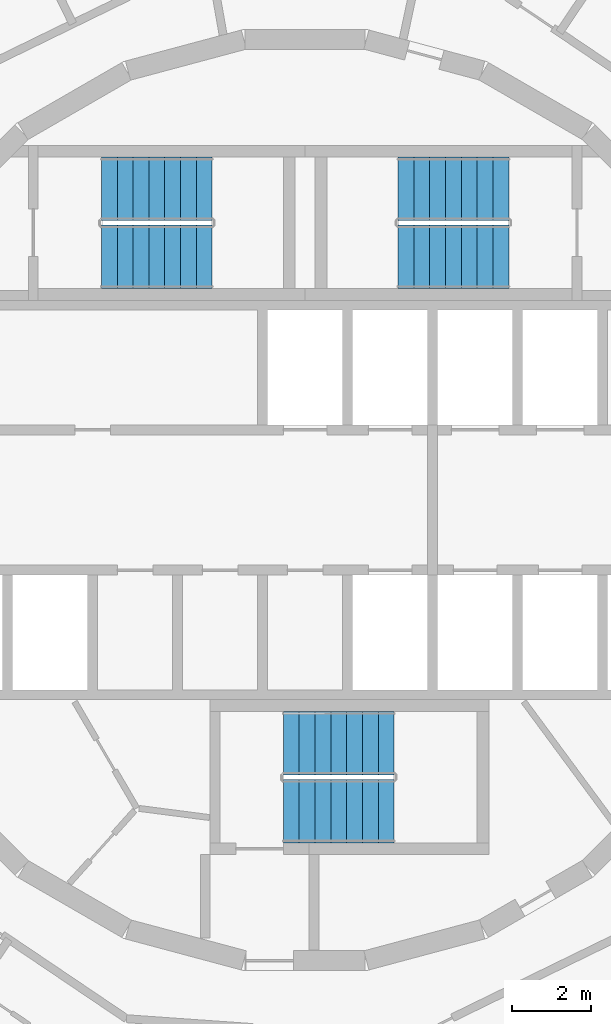
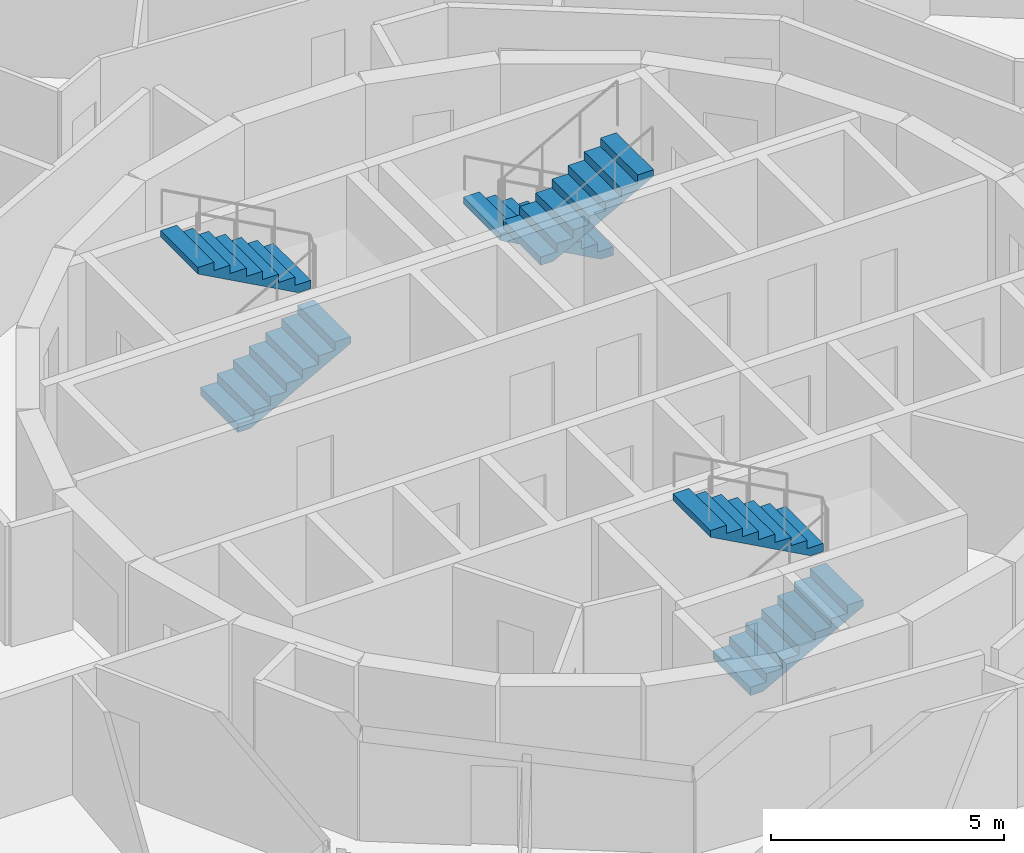
# One storey, part 17 of 18: 6 stair flights, 3 elements without a shape of their own.
"""IFC4 building model written with IfcOpenShell, lengths in metres."""

from ifc_helpers import new_model, si_unit, direction, frame, origin, place, context, subcontext, project, spatial, polyline, outline, extrude, material, type_object, element, aggregate, save


model = new_model("IFC4")

# Units and contexts
model_context = context("Model", 3, precision=1e-05, world=origin(), true_north=direction((0.0, 1.0)))
body_context = subcontext(model_context, "Body", "Model", "MODEL_VIEW")
ifc_project = project(units=[si_unit("LENGTHUNIT", "METRE"), si_unit("AREAUNIT", "SQUARE_METRE"), si_unit("VOLUMEUNIT", "CUBIC_METRE"), si_unit("PLANEANGLEUNIT", "RADIAN"), si_unit("MASSUNIT", "GRAM", prefix="KILO")], contexts=[model_context])

# Site, building, storey
site_placement = place(None, origin())
site = spatial("IfcSite", under=ifc_project, at=site_placement, CompositionType="ELEMENT")
building_placement = place(site_placement, origin())
building = spatial("IfcBuilding", under=site, at=building_placement, Name="Spindle Arch Residences", CompositionType="ELEMENT")
storey_placement = place(building_placement, frame((0.0, 0.0, 205.89990234375)))
storey = spatial("IfcBuildingStorey", under=building, at=storey_placement, Name="L52", CompositionType="ELEMENT", Elevation=205.89990234375)

# Stair, stair flights
ifc_material_1 = material(Name="Concrete C50/60", Category="concrete")
stair_type = type_object("IfcStairType", Name="Exit stair 16 risers", PredefinedType="HALF_TURN_STAIR", material=ifc_material_1)
stair_1_placement = place(storey_placement, origin())
stair_1 = element("IfcStair", 1, at=stair_1_placement, inside=storey, type_object=stair_type, Name="L52 Exit stair ST1", PredefinedType="HALF_TURN_STAIR")
ifc_material_2 = material(Name="Concrete C50/60", Category="concrete")
stair_flight_type = type_object("IfcStairFlightType", Name="Exit stair flight", PredefinedType="STRAIGHT", material=ifc_material_2)
stair_flight_1_placement = place(storey_placement, frame((5.14990234375, 7.8701171875, 0.0), z_axis=(0.0, 0.0, 1.0), x_axis=(-1.0, 0.0, 0.0)))
stair_flight_1 = element("IfcStairFlight", 2, at=stair_flight_1_placement, type_object=stair_flight_type, Name="ST1 flight 1", NumberOfRisers=8, NumberOfTreads=7, PredefinedType="STRAIGHT", RiserHeight=0.21875, TreadLength=0.4, context=body_context, shape_type="SweptSolid", body=[
    extrude(outline(polyline([(0.0, 0.0), (0.0, 0.21875), (0.39990234375, 0.21875), (0.39990234375, 0.4375), (0.800048828125, 0.4375), (0.800048828125, 0.65625), (1.199951171875, 0.65625), (1.199951171875, 0.875), (1.60009765625, 0.875), (1.60009765625, 1.09375), (2.0, 1.09375), (2.0, 1.3125), (2.39990234375, 1.3125), (2.39990234375, 1.53125), (2.800048828125, 1.53125), (2.800048828125, 1.75), (2.800048828125, 1.3603515625), (0.3125, 0.0), (0.0, 0.0)])), frame((0.0, 0.800048828125, 0.0), z_axis=(0.0, -1.0, 0.0), x_axis=(1.0, 0.0, 0.0)), (0.0, 0.0, 1.0), 1.60009765625),
])
stair_flight_2_placement = place(storey_placement, frame((2.35009765625, 6.14990234375, 1.75), z_axis=(0.0, 0.0, 1.0), x_axis=(1.0, 0.0, 0.0)))
stair_flight_2 = element("IfcStairFlight", 3, at=stair_flight_2_placement, type_object=stair_flight_type, Name="ST1 flight 2", NumberOfRisers=8, NumberOfTreads=7, PredefinedType="STRAIGHT", RiserHeight=0.21875, TreadLength=0.4, context=body_context, shape_type="SweptSolid", body=[
    extrude(outline(polyline([(0.0, 0.0), (0.0, 0.21875), (0.39990234375, 0.21875), (0.39990234375, 0.4375), (0.800048828125, 0.4375), (0.800048828125, 0.65625), (1.199951171875, 0.65625), (1.199951171875, 0.875), (1.60009765625, 0.875), (1.60009765625, 1.09375), (2.0, 1.09375), (2.0, 1.3125), (2.39990234375, 1.3125), (2.39990234375, 1.53125), (2.800048828125, 1.53125), (2.800048828125, 1.75), (2.800048828125, 1.3603515625), (0.3125, 0.0), (0.0, 0.0)])), frame((0.0, 0.800048828125, 0.0), z_axis=(0.0, -1.0, 0.0), x_axis=(1.0, 0.0, 0.0)), (0.0, 0.0, 1.0), 1.60009765625),
])
aggregate(stair_1, [stair_flight_1, stair_flight_2])

stair_2_placement = place(storey_placement, origin())
stair_2 = element("IfcStair", 4, at=stair_2_placement, inside=storey, type_object=stair_type, Name="L52 Exit stair ST2", PredefinedType="HALF_TURN_STAIR")
stair_flight_3_placement = place(storey_placement, frame((-5.14990234375, 6.14990234375, 0.0), z_axis=(0.0, 0.0, 1.0), x_axis=(1.0, 0.0, 0.0)))
stair_flight_3 = element("IfcStairFlight", 5, at=stair_flight_3_placement, type_object=stair_flight_type, Name="ST2 flight 1", NumberOfRisers=8, NumberOfTreads=7, PredefinedType="STRAIGHT", RiserHeight=0.21875, TreadLength=0.4, context=body_context, shape_type="SweptSolid", body=[
    extrude(outline(polyline([(0.0, 0.0), (0.0, 0.21875), (0.39990234375, 0.21875), (0.39990234375, 0.4375), (0.800048828125, 0.4375), (0.800048828125, 0.65625), (1.199951171875, 0.65625), (1.199951171875, 0.875), (1.60009765625, 0.875), (1.60009765625, 1.09375), (2.0, 1.09375), (2.0, 1.3125), (2.39990234375, 1.3125), (2.39990234375, 1.53125), (2.800048828125, 1.53125), (2.800048828125, 1.75), (2.800048828125, 1.3603515625), (0.3125, 0.0), (0.0, 0.0)])), frame((0.0, 0.800048828125, 0.0), z_axis=(0.0, -1.0, 0.0), x_axis=(1.0, 0.0, 0.0)), (0.0, 0.0, 1.0), 1.60009765625),
])
stair_flight_4_placement = place(storey_placement, frame((-2.35009765625, 7.8701171875, 1.75), z_axis=(0.0, 0.0, 1.0), x_axis=(-1.0, 0.0, 0.0)))
stair_flight_4 = element("IfcStairFlight", 6, at=stair_flight_4_placement, type_object=stair_flight_type, Name="ST2 flight 2", NumberOfRisers=8, NumberOfTreads=7, PredefinedType="STRAIGHT", RiserHeight=0.21875, TreadLength=0.4, context=body_context, shape_type="SweptSolid", body=[
    extrude(outline(polyline([(0.0, 0.0), (0.0, 0.21875), (0.39990234375, 0.21875), (0.39990234375, 0.4375), (0.800048828125, 0.4375), (0.800048828125, 0.65625), (1.199951171875, 0.65625), (1.199951171875, 0.875), (1.60009765625, 0.875), (1.60009765625, 1.09375), (2.0, 1.09375), (2.0, 1.3125), (2.39990234375, 1.3125), (2.39990234375, 1.53125), (2.800048828125, 1.53125), (2.800048828125, 1.75), (2.800048828125, 1.3603515625), (0.3125, 0.0), (0.0, 0.0)])), frame((0.0, 0.800048828125, 0.0), z_axis=(0.0, -1.0, 0.0), x_axis=(1.0, 0.0, 0.0)), (0.0, 0.0, 1.0), 1.60009765625),
])
aggregate(stair_2, [stair_flight_3, stair_flight_4])

stair_3_placement = place(storey_placement, origin())
stair_3 = element("IfcStair", 7, at=stair_3_placement, inside=storey, type_object=stair_type, Name="L52 Exit stair ST3", PredefinedType="HALF_TURN_STAIR")
stair_flight_5_placement = place(storey_placement, frame((-0.550048828125, -7.8701171875, 0.0), z_axis=(0.0, 0.0, 1.0), x_axis=(1.0, 0.0, 0.0)))
stair_flight_5 = element("IfcStairFlight", 8, at=stair_flight_5_placement, type_object=stair_flight_type, Name="ST3 flight 1", NumberOfRisers=8, NumberOfTreads=7, PredefinedType="STRAIGHT", RiserHeight=0.21875, TreadLength=0.4, context=body_context, shape_type="SweptSolid", body=[
    extrude(outline(polyline([(0.0, 0.0), (0.0, 0.21875), (0.39990234375, 0.21875), (0.39990234375, 0.4375), (0.800048828125, 0.4375), (0.800048828125, 0.65625), (1.199951171875, 0.65625), (1.199951171875, 0.875), (1.60009765625, 0.875), (1.60009765625, 1.09375), (2.0, 1.09375), (2.0, 1.3125), (2.39990234375, 1.3125), (2.39990234375, 1.53125), (2.800048828125, 1.53125), (2.800048828125, 1.75), (2.800048828125, 1.3603515625), (0.3125, 0.0), (0.0, 0.0)])), frame((0.0, 0.800048828125, 0.0), z_axis=(0.0, -1.0, 0.0), x_axis=(1.0, 0.0, 0.0)), (0.0, 0.0, 1.0), 1.60009765625),
])
stair_flight_6_placement = place(storey_placement, frame((2.25, -6.14990234375, 1.75), z_axis=(0.0, 0.0, 1.0), x_axis=(-1.0, 0.0, 0.0)))
stair_flight_6 = element("IfcStairFlight", 9, at=stair_flight_6_placement, type_object=stair_flight_type, Name="ST3 flight 2", NumberOfRisers=8, NumberOfTreads=7, PredefinedType="STRAIGHT", RiserHeight=0.21875, TreadLength=0.4, context=body_context, shape_type="SweptSolid", body=[
    extrude(outline(polyline([(0.0, 0.0), (0.0, 0.21875), (0.39990234375, 0.21875), (0.39990234375, 0.4375), (0.800048828125, 0.4375), (0.800048828125, 0.65625), (1.199951171875, 0.65625), (1.199951171875, 0.875), (1.60009765625, 0.875), (1.60009765625, 1.09375), (2.0, 1.09375), (2.0, 1.3125), (2.39990234375, 1.3125), (2.39990234375, 1.53125), (2.800048828125, 1.53125), (2.800048828125, 1.75), (2.800048828125, 1.3603515625), (0.3125, 0.0), (0.0, 0.0)])), frame((0.0, 0.800048828125, 0.0), z_axis=(0.0, -1.0, 0.0), x_axis=(1.0, 0.0, 0.0)), (0.0, 0.0, 1.0), 1.60009765625),
])
aggregate(stair_3, [stair_flight_5, stair_flight_6])

save(model, "model.ifc")
